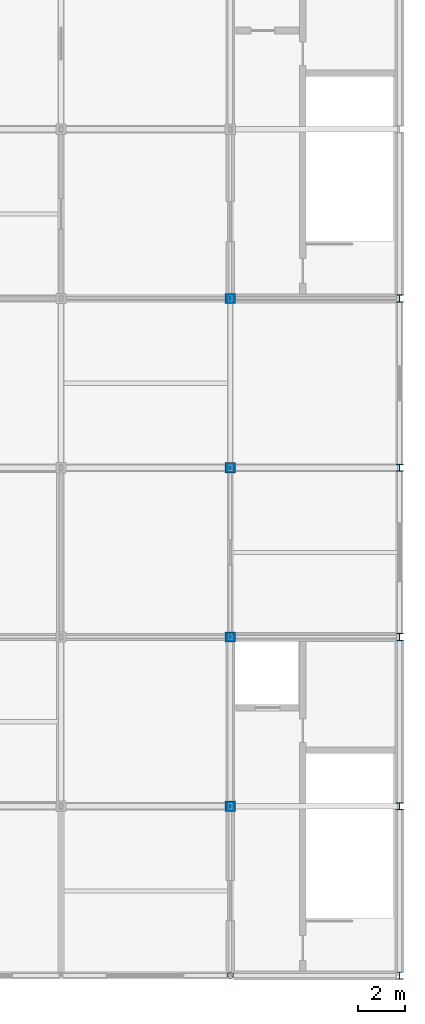
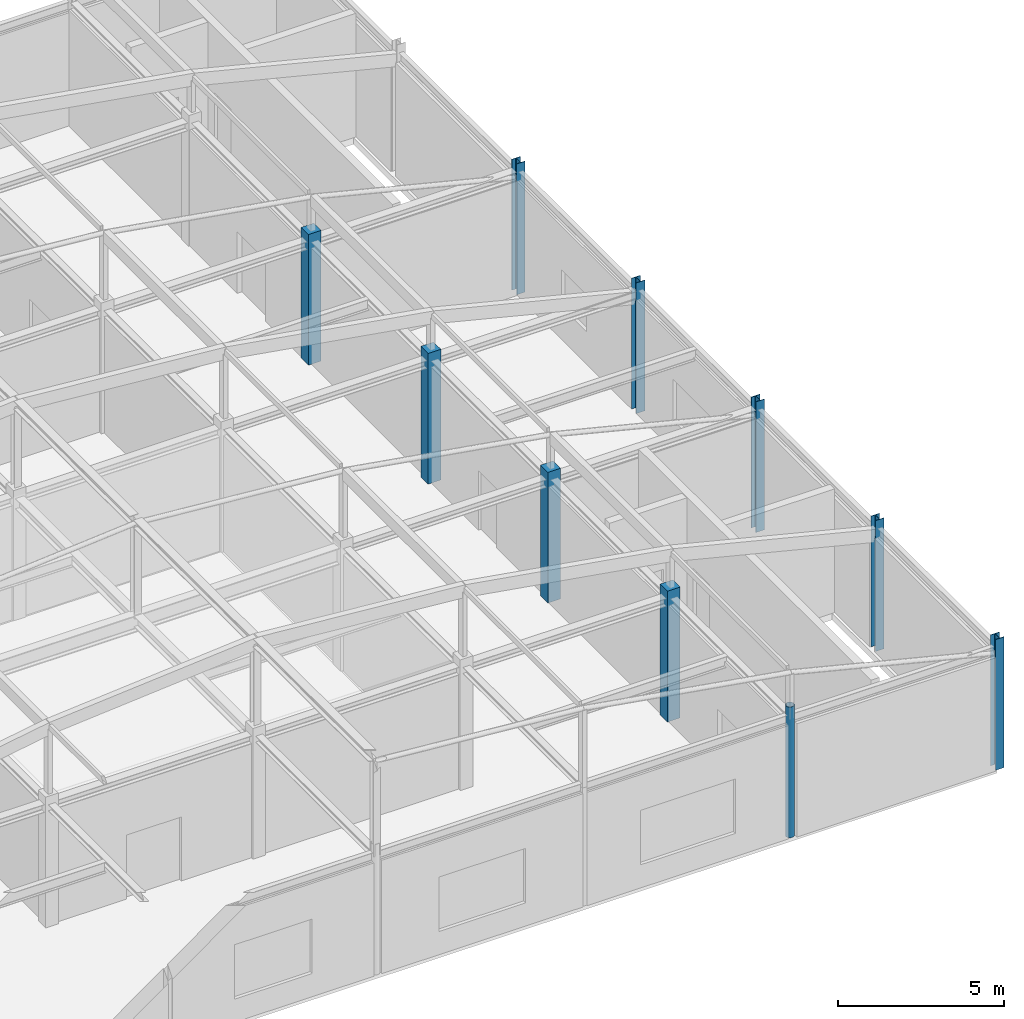
# One storey, part 4 of 23: 10 columns.
"""IFC4 building model written with IfcOpenShell, lengths in metres."""

from ifc_helpers import new_model, si_unit, direction, frame, origin, origin_2d, place, context, subcontext, project, spatial, rectangle, hollow_circle, i_section, extrude, material, material_profile, profile_set, type_object, element, save


model = new_model("IFC4")

# Units and contexts
model_context = context("Model", 3, precision=1e-05, world=origin(), true_north=direction((0.0, 1.0)))
body_context = subcontext(model_context, "Body", "Model", "MODEL_VIEW")
ifc_project = project(units=[si_unit("LENGTHUNIT", "METRE"), si_unit("AREAUNIT", "SQUARE_METRE"), si_unit("VOLUMEUNIT", "CUBIC_METRE"), si_unit("PLANEANGLEUNIT", "RADIAN"), si_unit("MASSUNIT", "GRAM", prefix="KILO")], contexts=[model_context])

# Site, building, storey
site_placement = place(None, origin())
site = spatial("IfcSite", under=ifc_project, at=site_placement, CompositionType="ELEMENT")
building_placement = place(site_placement, origin())
building = spatial("IfcBuilding", under=site, at=building_placement, Name="Cendaluz Park School", CompositionType="ELEMENT")
storey_placement = place(building_placement, frame((0.0, 0.0, 67.199951171875)))
storey = spatial("IfcBuildingStorey", under=building, at=storey_placement, Name="L16", CompositionType="ELEMENT", Elevation=67.199951171875)

# Columns
ifc_material_1 = material(Name="Glulam GL32h", Category="wood")
ifc_material_profile_1 = material_profile(ifc_material_1, rectangle(XDim=0.43994140625, YDim=0.43994140625, at=origin_2d()), Name="GL32h 440x440", Category="wood")
ifc_profile_set_1 = profile_set([ifc_material_profile_1], Name="Glulam GL32h")
column_type_1 = type_object("IfcColumnType", Name="C-GL03", PredefinedType="COLUMN", material=ifc_profile_set_1)
for number, where, z_axis, x_axis, name in (
    (1, (100.800048828125, 21.60009765625, 0.0), (0.0, 0.0, 1.0), (1.0, 0.0, 0.0), "C-L16-CGL03-036"),
    (2, (100.800048828125, 28.800048828125, 0.0), (0.0, 0.0, 1.0), (1.0, 0.0, 0.0), "C-L16-CGL03-037"),
    (3, (100.800048828125, 36.0, 0.0), (0.0, 0.0, 1.0), (1.0, 0.0, 0.0), "C-L16-CGL03-038"),
    (4, (100.800048828125, 43.199951171875, 0.0), (0.0, 0.0, 1.0), (1.0, 0.0, 0.0), "C-L16-CGL03-039"),
):
    element("IfcColumn", number, at=place(storey_placement, frame(where, z_axis=z_axis, x_axis=x_axis)), inside=storey, type_object=column_type_1, Name=name, PredefinedType="COLUMN", context=body_context, shape_type="SweptSolid", body=[
        extrude(rectangle(XDim=0.43994140625, YDim=0.43994140625, at=origin_2d()), origin(), (0.0, 0.0, 1.0), 4.800048828125),
    ])
ifc_material_2 = material(Name="Steel S355", Category="steel")
ifc_material_profile_2 = material_profile(ifc_material_2, i_section(OverallWidth=0.300048828125, OverallDepth=0.300048828125, WebThickness=0.010986328125, FlangeThickness=0.01904296875, FilletRadius=0.027099609375, at=origin_2d()), Name="HEB 300", Category="steel")
ifc_profile_set_2 = profile_set([ifc_material_profile_2], Name="Steel S355")
column_type_2 = type_object("IfcColumnType", Name="C-ST01", PredefinedType="COLUMN", material=ifc_profile_set_2)
for number, where, z_axis, x_axis, name in (
    (5, (108.0, 14.39990234375, 0.0), (0.0, 0.0, 1.0), (1.0, 0.0, 0.0), "C-L16-CST01-042"),
    (6, (108.0, 28.800048828125, 0.0), (0.0, 0.0, 1.0), (1.0, 0.0, 0.0), "C-L16-CST01-044"),
    (7, (108.0, 43.199951171875, 0.0), (0.0, 0.0, 1.0), (1.0, 0.0, 0.0), "C-L16-CST01-046"),
):
    element("IfcColumn", number, at=place(storey_placement, frame(where, z_axis=z_axis, x_axis=x_axis)), inside=storey, type_object=column_type_2, Name=name, PredefinedType="COLUMN", context=body_context, shape_type="SweptSolid", body=[
        extrude(i_section(OverallWidth=0.300048828125, OverallDepth=0.300048828125, WebThickness=0.010986328125, FlangeThickness=0.01904296875, FilletRadius=0.027099609375, at=origin_2d()), origin(), (0.0, 0.0, 1.0), 4.800048828125),
    ])
ifc_material_profile_3 = material_profile(ifc_material_2, i_section(OverallWidth=0.300048828125, OverallDepth=0.2900390625, WebThickness=0.009033203125, FlangeThickness=0.013916015625, FilletRadius=0.027099609375, at=origin_2d()), Name="HEA 300", Category="steel")
ifc_profile_set_3 = profile_set([ifc_material_profile_3], Name="Steel S355")
column_type_3 = type_object("IfcColumnType", Name="C-ST02", PredefinedType="COLUMN", material=ifc_profile_set_3)
for number, where, z_axis, x_axis, name in (
    (8, (108.0, 21.60009765625, 0.0), (0.0, 0.0, 1.0), (1.0, 0.0, 0.0), "C-L16-CST02-043"),
    (9, (108.0, 36.0, 0.0), (0.0, 0.0, 1.0), (1.0, 0.0, 0.0), "C-L16-CST02-045"),
):
    element("IfcColumn", number, at=place(storey_placement, frame(where, z_axis=z_axis, x_axis=x_axis)), inside=storey, type_object=column_type_3, Name=name, PredefinedType="COLUMN", context=body_context, shape_type="SweptSolid", body=[
        extrude(i_section(OverallWidth=0.300048828125, OverallDepth=0.2900390625, WebThickness=0.009033203125, FlangeThickness=0.013916015625, FilletRadius=0.027099609375, at=origin_2d()), origin(), (0.0, 0.0, 1.0), 4.800048828125),
    ])
ifc_material_profile_4 = material_profile(ifc_material_2, hollow_circle(Radius=0.136474609375, WallThickness=0.011962890625, at=origin_2d()), Name="CHS 273x12", Category="steel")
ifc_profile_set_4 = profile_set([ifc_material_profile_4], Name="Steel S355")
column_type_4 = type_object("IfcColumnType", Name="C-ST03", PredefinedType="COLUMN", material=ifc_profile_set_4)
column_placement = place(storey_placement, frame((100.800048828125, 14.39990234375, 0.0), z_axis=(0.0, 0.0, 1.0), x_axis=(1.0, 0.0, 0.0)))
element("IfcColumn", 10, at=column_placement, inside=storey, type_object=column_type_4, Name="C-L16-CST03-035", PredefinedType="COLUMN", context=body_context, shape_type="SweptSolid", body=[
    extrude(hollow_circle(Radius=0.136474609375, WallThickness=0.011962890625, at=origin_2d()), origin(), (0.0, 0.0, 1.0), 4.800048828125),
])

save(model, "model.ifc")
